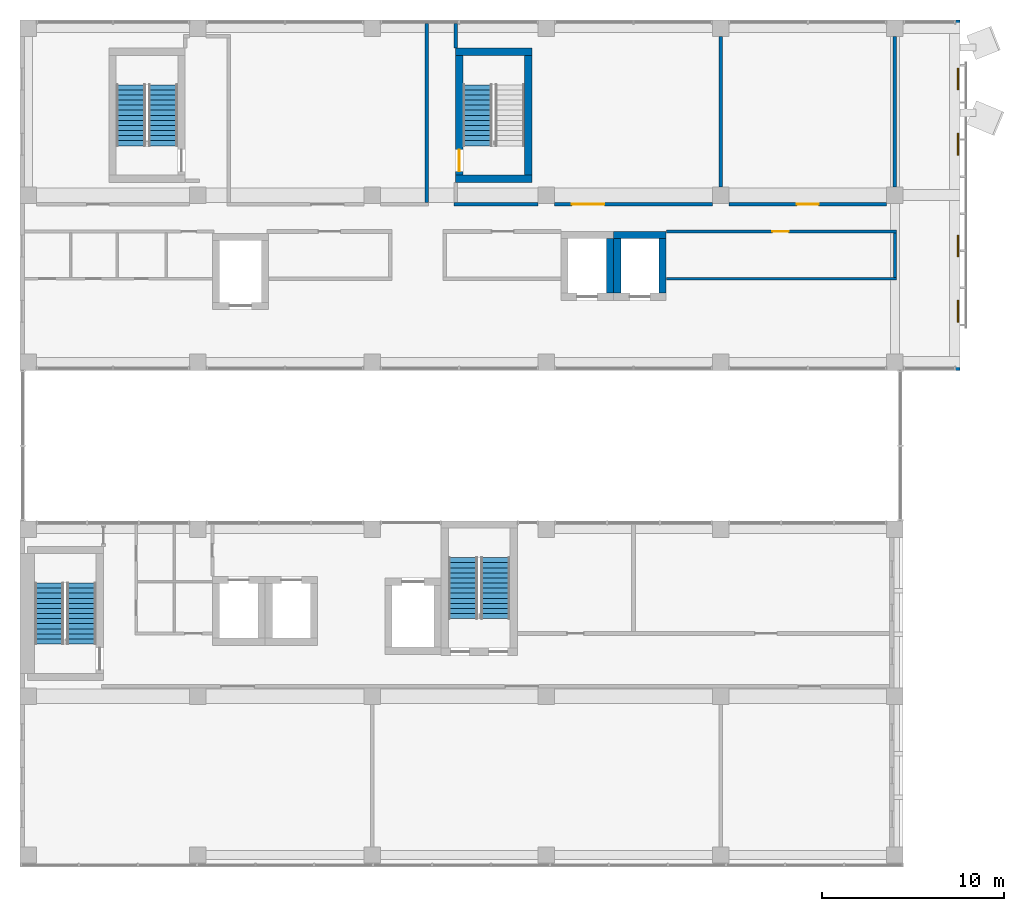
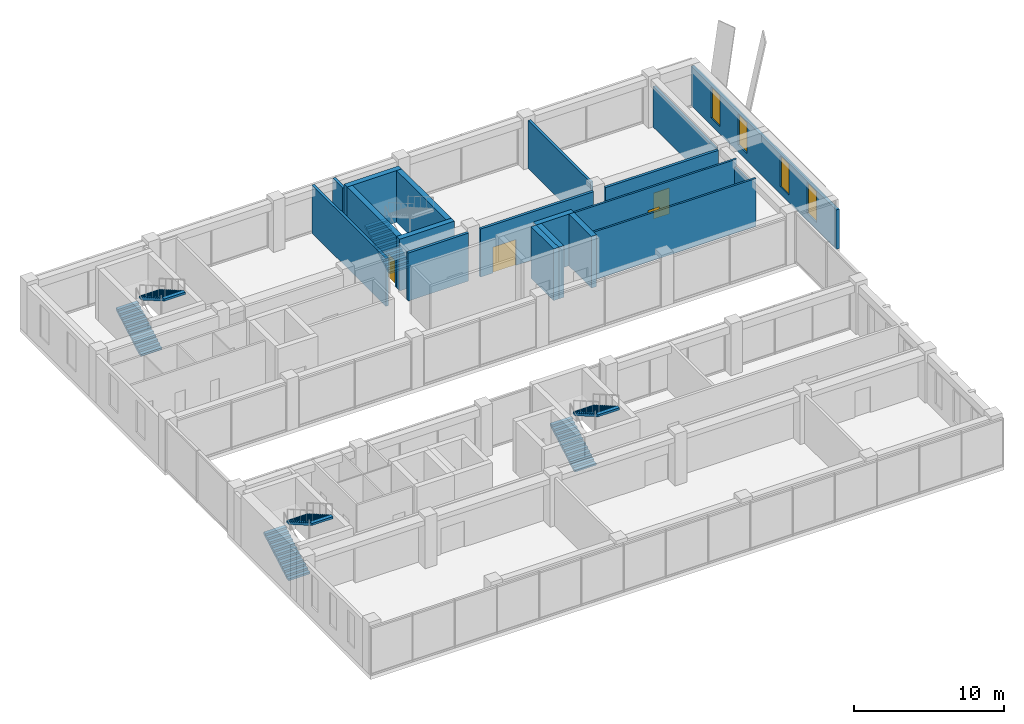
# One storey, part 30 of 37: 19 walls, 7 stair flights, 4 doors, 4 windows, 8 openings, 4 elements without a shape of their own.
"""IFC4 building model written with IfcOpenShell, lengths in metres."""

from ifc_helpers import new_model, si_unit, direction, frame, frame_2d, origin, place, context, subcontext, project, spatial, polyline, rectangle, outline, extrude, material, layer, layer_set, layer_usage, type_object, element, fill, aggregate, save


model = new_model("IFC4")

# Units and contexts
model_context = context("Model", 3, precision=1e-05, world=origin(), true_north=direction((0.0, 1.0)))
body_context = subcontext(model_context, "Body", "Model", "MODEL_VIEW")
ifc_project = project(units=[si_unit("LENGTHUNIT", "METRE"), si_unit("AREAUNIT", "SQUARE_METRE"), si_unit("VOLUMEUNIT", "CUBIC_METRE"), si_unit("PLANEANGLEUNIT", "RADIAN"), si_unit("MASSUNIT", "GRAM", prefix="KILO")], contexts=[model_context])

# Site, building, storey
site_placement = place(None, origin())
site = spatial("IfcSite", under=ifc_project, at=site_placement, CompositionType="ELEMENT")
building_placement = place(site_placement, origin())
building = spatial("IfcBuilding", under=site, at=building_placement, Name="Nzadi Deep Aquarium and Research Tower", CompositionType="ELEMENT")
storey_placement = place(building_placement, frame((0.0, 0.0, 57.10009765625)))
storey = spatial("IfcBuildingStorey", under=building, at=storey_placement, Name="L11", CompositionType="ELEMENT", Elevation=57.10009765625)

# Wall, openings, windows
ifc_material_1 = material(Name="Graphite aluminium shingle", Category="aluminium")
ifc_layer_1 = layer(ifc_material_1, 0.050048828125, Category="cladding")
ifc_material_2 = material(Name="Concrete C35/45", Category="concrete")
ifc_layer_2 = layer(ifc_material_2, 0.10009765625, Category="cladding")
ifc_material_3 = material(Name="Mineral wool insulation")
ifc_layer_3 = layer(ifc_material_3, 0.070068359375, Category="insulation")
ifc_material_4 = material(Name="Gypsum board lining")
ifc_layer_4 = layer(ifc_material_4, 0.030029296875, Category="lining")
ifc_layer_set_1 = layer_set([ifc_layer_1, ifc_layer_2, ifc_layer_3, ifc_layer_4], Name="Graphite aluminium shingle, Concrete C35/45, Mineral wool insulation, Gypsum board lining")
ifc_layer_usage = layer_usage(ifc_layer_set_1, "AXIS2", "POSITIVE", -0.125)
wall_type_1 = type_object("IfcWallType", Name="End wall shingle over board-formed concrete 250, 3.20 m high", PredefinedType="ELEMENTEDWALL", material=ifc_layer_set_1)
wall_1_placement = place(storey_placement, frame((51.47509765625, 27.14990234375, 0.0), z_axis=(0.0, 0.0, 1.0), x_axis=(0.0, 1.0, 0.0)))
wall_1 = element("IfcWall", 1, at=wall_1_placement, inside=storey, type_object=wall_type_1, material=ifc_layer_usage, Name="End wall blade B east L11", PredefinedType="ELEMENTEDWALL", context=body_context, shape_type="SweptSolid", body=[
    extrude(rectangle(XDim=19.300048828125, YDim=0.25, at=frame_2d((9.64990234375, 0.0))), origin(), (0.0, 0.0, 1.0), 3.199951171875),
])
opening_1_placement = place(wall_1_placement, frame((2.64990234375, 0.0, 0.60009765625)))
opening_1 = element("IfcOpeningElement", 2, at=opening_1_placement, cuts=wall_1, Name="Opening WN08", PredefinedType="OPENING", context=body_context, shape_type="SweptSolid", body=[
    extrude(rectangle(XDim=1.199951171875, YDim=2.5, at=frame_2d((0.60009765625, 1.25))), frame((0.0, 0.135009765625, 0.0), z_axis=(0.0, -1.0, 0.0), x_axis=(1.0, 0.0, 0.0)), (0.0, 0.0, 1.0), 0.27001953125),
])
opening_2_placement = place(wall_1_placement, frame((6.25, 0.0, 0.60009765625)))
opening_2 = element("IfcOpeningElement", 3, at=opening_2_placement, cuts=wall_1, Name="Opening WN08", PredefinedType="OPENING", context=body_context, shape_type="SweptSolid", body=[
    extrude(rectangle(XDim=1.199951171875, YDim=2.5, at=frame_2d((0.60009765625, 1.25))), frame((0.0, 0.135009765625, 0.0), z_axis=(0.0, -1.0, 0.0), x_axis=(1.0, 0.0, 0.0)), (0.0, 0.0, 1.0), 0.27001953125),
])
opening_3_placement = place(wall_1_placement, frame((11.85009765625, 0.0, 0.60009765625)))
opening_3 = element("IfcOpeningElement", 4, at=opening_3_placement, cuts=wall_1, Name="Opening WN08", PredefinedType="OPENING", context=body_context, shape_type="SweptSolid", body=[
    extrude(rectangle(XDim=1.199951171875, YDim=2.5, at=frame_2d((0.60009765625, 1.25))), frame((0.0, 0.135009765625, 0.0), z_axis=(0.0, -1.0, 0.0), x_axis=(1.0, 0.0, 0.0)), (0.0, 0.0, 1.0), 0.27001953125),
])
opening_4_placement = place(wall_1_placement, frame((15.449951171875, 0.0, 0.60009765625)))
opening_4 = element("IfcOpeningElement", 5, at=opening_4_placement, cuts=wall_1, Name="Opening WN08", PredefinedType="OPENING", context=body_context, shape_type="SweptSolid", body=[
    extrude(rectangle(XDim=1.199951171875, YDim=2.5, at=frame_2d((0.60009765625, 1.25))), frame((0.0, 0.135009765625, 0.0), z_axis=(0.0, -1.0, 0.0), x_axis=(1.0, 0.0, 0.0)), (0.0, 0.0, 1.0), 0.27001953125),
])
ifc_material_5 = material(Name="Aluminium window, sage tint glazing", Category="aluminium")
window_type = type_object("IfcWindowType", Name="Slot window 1200x2500 sill 600", PartitioningType="SINGLE_PANEL", PredefinedType="WINDOW", material=ifc_material_5)
window_1_placement = place(opening_1_placement, origin())
window_1 = element("IfcWindow", 6, at=window_1_placement, inside=storey, type_object=window_type, Name="Slot window L11 BE", OverallHeight=2.5, OverallWidth=1.199951171875, PartitioningType="SINGLE_PANEL", PredefinedType="WINDOW", context=body_context, shape_type="SweptSolid", body=[
    extrude(rectangle(XDim=1.199951171875, YDim=2.5, at=frame_2d((0.60009765625, 1.25))), frame((0.0, 0.030029296875, 0.0), z_axis=(0.0, -1.0, 0.0), x_axis=(1.0, 0.0, 0.0)), (0.0, 0.0, 1.0), 0.06005859375),
])
fill(opening_1, window_1)
window_2_placement = place(opening_2_placement, origin())
window_2 = element("IfcWindow", 7, at=window_2_placement, inside=storey, type_object=window_type, Name="Slot window L11 BE", OverallHeight=2.5, OverallWidth=1.199951171875, PartitioningType="SINGLE_PANEL", PredefinedType="WINDOW", context=body_context, shape_type="SweptSolid", body=[
    extrude(rectangle(XDim=1.199951171875, YDim=2.5, at=frame_2d((0.60009765625, 1.25))), frame((0.0, 0.030029296875, 0.0), z_axis=(0.0, -1.0, 0.0), x_axis=(1.0, 0.0, 0.0)), (0.0, 0.0, 1.0), 0.06005859375),
])
fill(opening_2, window_2)
window_3_placement = place(opening_3_placement, origin())
window_3 = element("IfcWindow", 8, at=window_3_placement, inside=storey, type_object=window_type, Name="Slot window L11 BE", OverallHeight=2.5, OverallWidth=1.199951171875, PartitioningType="SINGLE_PANEL", PredefinedType="WINDOW", context=body_context, shape_type="SweptSolid", body=[
    extrude(rectangle(XDim=1.199951171875, YDim=2.5, at=frame_2d((0.60009765625, 1.25))), frame((0.0, 0.030029296875, 0.0), z_axis=(0.0, -1.0, 0.0), x_axis=(1.0, 0.0, 0.0)), (0.0, 0.0, 1.0), 0.06005859375),
])
fill(opening_3, window_3)
window_4_placement = place(opening_4_placement, origin())
window_4 = element("IfcWindow", 9, at=window_4_placement, inside=storey, type_object=window_type, Name="Slot window L11 BE", OverallHeight=2.5, OverallWidth=1.199951171875, PartitioningType="SINGLE_PANEL", PredefinedType="WINDOW", context=body_context, shape_type="SweptSolid", body=[
    extrude(rectangle(XDim=1.199951171875, YDim=2.5, at=frame_2d((0.60009765625, 1.25))), frame((0.0, 0.030029296875, 0.0), z_axis=(0.0, -1.0, 0.0), x_axis=(1.0, 0.0, 0.0)), (0.0, 0.0, 1.0), 0.06005859375),
])
fill(opening_4, window_4)

# Wall
ifc_material_6 = material(Name="Blockwork masonry", Category="masonry")
ifc_layer_5 = layer(ifc_material_6, 0.14990234375)
ifc_layer_set_2 = layer_set([ifc_layer_5], Name="Blockwork masonry")
wall_type_2 = type_object("IfcWallType", Name="Partition 150 EI 60", PredefinedType="PARTITIONING", material=ifc_layer_set_2)
wall_2_placement = place(storey_placement, frame((35.406005859375, 32.199951171875, 0.0), z_axis=(0.0, 0.0, 1.0), x_axis=(1.0, 0.0, 0.0)))
element("IfcWall", 10, at=wall_2_placement, inside=storey, type_object=wall_type_2, Name="W-Z1-L11-P036", PredefinedType="PARTITIONING", context=body_context, shape_type="SweptSolid", body=[
    extrude(rectangle(XDim=12.6689453125, YDim=0.14990234375, at=frame_2d((6.33447265625, 0.0))), origin(), (0.0, 0.0, 1.0), 3.89990234375),
])

# Wall, opening, door
wall_3_placement = place(storey_placement, frame((35.406005859375, 34.800048828125, 0.0), z_axis=(0.0, 0.0, 1.0), x_axis=(1.0, 0.0, 0.0)))
wall_3 = element("IfcWall", 11, at=wall_3_placement, inside=storey, type_object=wall_type_2, Name="W-Z1-L11-P037", PredefinedType="PARTITIONING", context=body_context, shape_type="SweptSolid", body=[
    extrude(rectangle(XDim=12.6689453125, YDim=0.14990234375, at=frame_2d((6.33447265625, 0.0))), origin(), (0.0, 0.0, 1.0), 3.89990234375),
])
opening_5_placement = place(wall_3_placement, frame((5.843994140625, 0.0, 0.0)))
opening_5 = element("IfcOpeningElement", 12, at=opening_5_placement, cuts=wall_3, Name="Opening D121017", PredefinedType="OPENING", context=body_context, shape_type="SweptSolid", body=[
    extrude(rectangle(XDim=0.89990234375, YDim=2.10009765625, at=frame_2d((0.449951171875, 1.050048828125))), frame((0.0, 0.0849609375, 0.0), z_axis=(0.0, -1.0, 0.0), x_axis=(1.0, 0.0, 0.0)), (0.0, 0.0, 1.0), 0.169921875),
])
ifc_material_7 = material(Name="Fire-rated steel door", Category="steel")
ifc_layer_6 = layer(ifc_material_7, 0.050048828125)
ifc_layer_set_3 = layer_set([ifc_layer_6], Name="Fire-rated steel door")
door_type_1 = type_object("IfcDoorType", Name="Door 900x2100 EI 60 single", OperationType="SINGLE_SWING_LEFT", PredefinedType="DOOR", material=ifc_layer_set_3)
door_1_placement = place(opening_5_placement, origin())
door_1 = element("IfcDoor", 13, at=door_1_placement, inside=storey, type_object=door_type_1, Name="D121017", OperationType="SINGLE_SWING_RIGHT", OverallHeight=2.10009765625, OverallWidth=0.89990234375, PredefinedType="DOOR", context=body_context, shape_type="SweptSolid", body=[
    extrude(rectangle(XDim=0.89990234375, YDim=2.10009765625, at=frame_2d((0.449951171875, 1.050048828125))), frame((0.0, 0.02490234375, 0.0), z_axis=(0.0, -1.0, 0.0), x_axis=(1.0, 0.0, 0.0)), (0.0, 0.0, 1.0), 0.050048828125),
])
fill(opening_5, door_1)

# Walls
ifc_material_8 = material(Name="Blockwork masonry", Category="masonry")
ifc_layer_7 = layer(ifc_material_8, 0.14990234375)
ifc_layer_set_4 = layer_set([ifc_layer_7], Name="Blockwork masonry")
wall_type_3 = type_object("IfcWallType", Name="Partition 150 EI 60, 3.30 m high", PredefinedType="PARTITIONING", material=ifc_layer_set_4)
wall_4_placement = place(storey_placement, frame((48.0, 32.27490234375, 0.0), z_axis=(0.0, 0.0, 1.0), x_axis=(0.0, 1.0, 0.0)))
element("IfcWall", 14, at=wall_4_placement, inside=storey, type_object=wall_type_3, Name="W-Z1-L11-P042", PredefinedType="PARTITIONING", context=body_context, shape_type="SweptSolid", body=[
    extrude(rectangle(XDim=2.4501953125, YDim=0.14990234375, at=frame_2d((1.22509765625, 0.0))), origin(), (0.0, 0.0, 1.0), 3.2998046875),
])
ifc_material_9 = material(Name="Blockwork masonry", Category="masonry")
ifc_layer_8 = layer(ifc_material_9, 0.199951171875)
ifc_layer_set_5 = layer_set([ifc_layer_8], Name="Blockwork masonry")
wall_type_4 = type_object("IfcWallType", Name="Partition 200 EI 120", PredefinedType="PARTITIONING", material=ifc_layer_set_5)
wall_5_placement = place(storey_placement, frame((22.199951171875, 36.39990234375, 0.0), z_axis=(0.0, 0.0, 1.0), x_axis=(0.0, 1.0, 0.0)))
element("IfcWall", 15, at=wall_5_placement, inside=storey, type_object=wall_type_4, Name="W-Z1-L11-P026", PredefinedType="PARTITIONING", context=body_context, shape_type="SweptSolid", body=[
    extrude(rectangle(XDim=9.843994140625, YDim=0.199951171875, at=frame_2d((4.921875, 0.0))), origin(), (0.0, 0.0, 1.0), 3.89990234375),
])
wall_6_placement = place(storey_placement, frame((23.699951171875, 36.300048828125, 0.0), z_axis=(0.0, 0.0, 1.0), x_axis=(1.0, 0.0, 0.0)))
element("IfcWall", 16, at=wall_6_placement, inside=storey, type_object=wall_type_4, Name="W-Z1-L11-P030", PredefinedType="PARTITIONING", context=body_context, shape_type="SweptSolid", body=[
    extrude(rectangle(XDim=4.650146484375, YDim=0.199951171875, at=frame_2d((2.3251953125, 0.0))), origin(), (0.0, 0.0, 1.0), 3.89990234375),
])
wall_7_placement = place(storey_placement, frame((23.800048828125, 44.906005859375, 0.0), z_axis=(0.0, 0.0, 1.0), x_axis=(0.0, 1.0, 0.0)))
element("IfcWall", 17, at=wall_7_placement, inside=storey, type_object=wall_type_4, Name="W-Z1-L11-P032", PredefinedType="PARTITIONING", context=body_context, shape_type="SweptSolid", body=[
    extrude(rectangle(XDim=1.337890625, YDim=0.199951171875, at=frame_2d((0.6689453125, 0.0))), origin(), (0.0, 0.0, 1.0), 3.89990234375),
])

# Wall, opening, door
wall_8_placement = place(storey_placement, frame((29.25, 36.300048828125, 0.0), z_axis=(0.0, 0.0, 1.0), x_axis=(1.0, 0.0, 0.0)))
wall_8 = element("IfcWall", 18, at=wall_8_placement, inside=storey, type_object=wall_type_4, Name="W-Z1-L11-P034", PredefinedType="PARTITIONING", context=body_context, shape_type="SweptSolid", body=[
    extrude(rectangle(XDim=8.699951171875, YDim=0.199951171875, at=frame_2d((4.35009765625, 0.0))), origin(), (0.0, 0.0, 1.0), 3.89990234375),
])
opening_6_placement = place(wall_8_placement, frame((0.949951171875, 0.0, 0.0)))
opening_6 = element("IfcOpeningElement", 19, at=opening_6_placement, cuts=wall_8, Name="Opening D121020", PredefinedType="OPENING", context=body_context, shape_type="SweptSolid", body=[
    extrude(rectangle(XDim=1.800048828125, YDim=2.10009765625, at=frame_2d((0.89990234375, 1.050048828125))), frame((0.0, 0.110107421875, 0.0), z_axis=(0.0, -1.0, 0.0), x_axis=(1.0, 0.0, 0.0)), (0.0, 0.0, 1.0), 0.22021484375),
])
ifc_material_10 = material(Name="Fire-rated steel door", Category="steel")
ifc_layer_9 = layer(ifc_material_10, 0.050048828125)
ifc_layer_set_6 = layer_set([ifc_layer_9], Name="Fire-rated steel door")
door_type_2 = type_object("IfcDoorType", Name="Door 1800x2100 EI 120 double", OperationType="DOUBLE_DOOR_SINGLE_SWING", PredefinedType="DOOR", material=ifc_layer_set_6)
door_2_placement = place(opening_6_placement, origin())
door_2 = element("IfcDoor", 20, at=door_2_placement, inside=storey, type_object=door_type_2, Name="D121020", OperationType="DOUBLE_DOOR_SINGLE_SWING", OverallHeight=2.10009765625, OverallWidth=1.800048828125, PredefinedType="DOOR", context=body_context, shape_type="SweptSolid", body=[
    extrude(rectangle(XDim=1.800048828125, YDim=2.10009765625, at=frame_2d((0.89990234375, 1.050048828125))), frame((0.0, 0.02490234375, 0.0), z_axis=(0.0, -1.0, 0.0), x_axis=(1.0, 0.0, 0.0)), (0.0, 0.0, 1.0), 0.050048828125),
])
fill(opening_6, door_2)

# Wall
wall_9_placement = place(storey_placement, frame((38.39990234375, 37.25, 0.0), z_axis=(0.0, 0.0, 1.0), x_axis=(0.0, 1.0, 0.0)))
element("IfcWall", 21, at=wall_9_placement, inside=storey, type_object=wall_type_4, Name="W-Z1-L11-P039", PredefinedType="PARTITIONING", context=body_context, shape_type="SweptSolid", body=[
    extrude(rectangle(XDim=8.300048828125, YDim=0.199951171875, at=frame_2d((4.14990234375, 0.0))), origin(), (0.0, 0.0, 1.0), 3.89990234375),
])

# Wall, opening, door
wall_10_placement = place(storey_placement, frame((38.85009765625, 36.300048828125, 0.0), z_axis=(0.0, 0.0, 1.0), x_axis=(1.0, 0.0, 0.0)))
wall_10 = element("IfcWall", 22, at=wall_10_placement, inside=storey, type_object=wall_type_4, Name="W-Z1-L11-P040", PredefinedType="PARTITIONING", context=body_context, shape_type="SweptSolid", body=[
    extrude(rectangle(XDim=8.699951171875, YDim=0.199951171875, at=frame_2d((4.35009765625, 0.0))), origin(), (0.0, 0.0, 1.0), 3.89990234375),
])
opening_7_placement = place(wall_10_placement, frame((3.75, 0.0, 0.0)))
opening_7 = element("IfcOpeningElement", 23, at=opening_7_placement, cuts=wall_10, Name="Opening D121021", PredefinedType="OPENING", context=body_context, shape_type="SweptSolid", body=[
    extrude(rectangle(XDim=1.199951171875, YDim=2.10009765625, at=frame_2d((0.60009765625, 1.050048828125))), frame((0.0, 0.110107421875, 0.0), z_axis=(0.0, -1.0, 0.0), x_axis=(1.0, 0.0, 0.0)), (0.0, 0.0, 1.0), 0.22021484375),
])
ifc_material_11 = material(Name="Fire-rated steel door", Category="steel")
ifc_layer_10 = layer(ifc_material_11, 0.050048828125)
ifc_layer_set_7 = layer_set([ifc_layer_10], Name="Fire-rated steel door")
door_type_3 = type_object("IfcDoorType", Name="Door 1200x2100 EI 120 single", OperationType="SINGLE_SWING_LEFT", PredefinedType="DOOR", material=ifc_layer_set_7)
door_3_placement = place(opening_7_placement, origin())
door_3 = element("IfcDoor", 24, at=door_3_placement, inside=storey, type_object=door_type_3, Name="D121021", OperationType="SINGLE_SWING_LEFT", OverallHeight=2.10009765625, OverallWidth=1.199951171875, PredefinedType="DOOR", context=body_context, shape_type="SweptSolid", body=[
    extrude(rectangle(XDim=1.199951171875, YDim=2.10009765625, at=frame_2d((0.60009765625, 1.050048828125))), frame((0.0, 0.02490234375, 0.0), z_axis=(0.0, -1.0, 0.0), x_axis=(1.0, 0.0, 0.0)), (0.0, 0.0, 1.0), 0.050048828125),
])
fill(opening_7, door_3)

# Walls
ifc_material_12 = material(Name="Blockwork masonry", Category="masonry")
ifc_layer_11 = layer(ifc_material_12, 0.199951171875)
ifc_layer_set_8 = layer_set([ifc_layer_11], Name="Blockwork masonry")
wall_type_5 = type_object("IfcWallType", Name="Partition 200 EI 120, 3.30 m high", PredefinedType="PARTITIONING", material=ifc_layer_set_8)
wall_11_placement = place(storey_placement, frame((48.0, 37.25, 0.0), z_axis=(0.0, 0.0, 1.0), x_axis=(0.0, 1.0, 0.0)))
element("IfcWall", 25, at=wall_11_placement, inside=storey, type_object=wall_type_5, Name="W-Z1-L11-P041", PredefinedType="PARTITIONING", context=body_context, shape_type="SweptSolid", body=[
    extrude(rectangle(XDim=8.300048828125, YDim=0.199951171875, at=frame_2d((4.14990234375, 0.0))), origin(), (0.0, 0.0, 1.0), 3.2998046875),
])
ifc_material_13 = material(Name="Concrete C35/45", Category="concrete")
ifc_layer_12 = layer(ifc_material_13, 0.39990234375)
ifc_layer_set_9 = layer_set([ifc_layer_12], Name="Concrete C35/45")
wall_type_6 = type_object("IfcWallType", Name="RC core wall 400", PredefinedType="SHEAR", material=ifc_layer_set_9)
for number, where, z_axis, x_axis, name in (
    (26, (23.800048828125, 37.699951171875, 0.0), (0.0, 0.0, 1.0), (1.0, 0.0, 0.0), "W-CORE-ST-Z1-NE-L11-S"),
    (27, (23.800048828125, 44.699951171875, 0.0), (0.0, 0.0, 1.0), (1.0, 0.0, 0.0), "W-CORE-ST-Z1-NE-L11-N"),
):
    element("IfcWall", number, at=place(storey_placement, frame(where, z_axis=z_axis, x_axis=x_axis)), inside=storey, type_object=wall_type_6, Name=name, PredefinedType="SHEAR", context=body_context, shape_type="SweptSolid", body=[
        extrude(rectangle(XDim=4.199951171875, YDim=0.39990234375, at=frame_2d((2.10009765625, 0.0))), origin(), (0.0, 0.0, 1.0), 4.199951171875),
    ])

# Wall, opening, door
wall_12_placement = place(storey_placement, frame((24.0, 37.89990234375, 0.0), z_axis=(0.0, 0.0, 1.0), x_axis=(0.0, 1.0, 0.0)))
wall_12 = element("IfcWall", 28, at=wall_12_placement, inside=storey, type_object=wall_type_6, Name="W-CORE-ST-Z1-NE-L11-W", PredefinedType="SHEAR", context=body_context, shape_type="SweptSolid", body=[
    extrude(rectangle(XDim=6.60009765625, YDim=0.39990234375, at=frame_2d((3.300048828125, 0.0))), origin(), (0.0, 0.0, 1.0), 4.199951171875),
])
opening_8_placement = place(wall_12_placement, frame((0.2099609375, 0.0, 0.0)))
opening_8 = element("IfcOpeningElement", 29, at=opening_8_placement, cuts=wall_12, Name="Opening DS-Z1-NE-L11", PredefinedType="OPENING", context=body_context, shape_type="SweptSolid", body=[
    extrude(rectangle(XDim=1.199951171875, YDim=2.10009765625, at=frame_2d((0.60009765625, 1.050048828125))), frame((0.0, 0.2099609375, 0.0), z_axis=(0.0, -1.0, 0.0), x_axis=(1.0, 0.0, 0.0)), (0.0, 0.0, 1.0), 0.419921875),
])
ifc_material_14 = material(Name="Steel, powder coated", Category="steel")
door_type_4 = type_object("IfcDoorType", Name="STAIR DOOR 1200x2100 EI 60", OperationType="SINGLE_SWING_LEFT", PredefinedType="DOOR", material=ifc_material_14)
door_4_placement = place(opening_8_placement, origin())
door_4 = element("IfcDoor", 30, at=door_4_placement, inside=storey, type_object=door_type_4, Name="Stair door ST-Z1-NE L11", OperationType="SINGLE_SWING_LEFT", OverallHeight=2.10009765625, OverallWidth=1.199951171875, PredefinedType="DOOR", context=body_context, shape_type="SweptSolid", body=[
    extrude(rectangle(XDim=1.199951171875, YDim=2.10009765625, at=frame_2d((0.60009765625, 1.050048828125))), frame((0.0, 0.02490234375, 0.0), z_axis=(0.0, -1.0, 0.0), x_axis=(1.0, 0.0, 0.0)), (0.0, 0.0, 1.0), 0.050048828125),
])
fill(opening_8, door_4)

# Walls
wall_13_placement = place(storey_placement, frame((27.800048828125, 37.89990234375, 0.0), z_axis=(0.0, 0.0, 1.0), x_axis=(0.0, 1.0, 0.0)))
element("IfcWall", 31, at=wall_13_placement, inside=storey, type_object=wall_type_6, Name="W-CORE-ST-Z1-NE-L11-E", PredefinedType="SHEAR", context=body_context, shape_type="SweptSolid", body=[
    extrude(rectangle(XDim=6.60009765625, YDim=0.39990234375, at=frame_2d((3.300048828125, 0.0))), origin(), (0.0, 0.0, 1.0), 4.199951171875),
])
wall_14_placement = place(storey_placement, frame((32.300048828125, 31.39990234375, 0.0), z_axis=(0.0, 0.0, 1.0), x_axis=(0.0, 1.0, 0.0)))
element("IfcWall", 32, at=wall_14_placement, inside=storey, type_object=wall_type_6, Name="W-CORE-TL3-L11-E", PredefinedType="SHEAR", context=body_context, shape_type="SweptSolid", body=[
    extrude(rectangle(XDim=3.0, YDim=0.39990234375, at=frame_2d((1.5, 0.0))), origin(), (0.0, 0.0, 1.0), 4.199951171875),
])
wall_15_placement = place(storey_placement, frame((32.5, 34.60009765625, 0.0), z_axis=(0.0, 0.0, 1.0), x_axis=(1.0, 0.0, 0.0)))
element("IfcWall", 33, at=wall_15_placement, inside=storey, type_object=wall_type_6, Name="W-CORE-TL4-L11-N", PredefinedType="SHEAR", context=body_context, shape_type="SweptSolid", body=[
    extrude(rectangle(XDim=2.89990234375, YDim=0.39990234375, at=frame_2d((1.449951171875, 0.0))), origin(), (0.0, 0.0, 1.0), 4.199951171875),
])
for number, where, z_axis, x_axis, name in (
    (34, (32.699951171875, 31.39990234375, 0.0), (0.0, 0.0, 1.0), (0.0, 1.0, 0.0), "W-CORE-TL4-L11-W"),
    (35, (35.199951171875, 31.39990234375, 0.0), (0.0, 0.0, 1.0), (0.0, 1.0, 0.0), "W-CORE-TL4-L11-E"),
):
    element("IfcWall", number, at=place(storey_placement, frame(where, z_axis=z_axis, x_axis=x_axis)), inside=storey, type_object=wall_type_6, Name=name, PredefinedType="SHEAR", context=body_context, shape_type="SweptSolid", body=[
        extrude(rectangle(XDim=3.0, YDim=0.39990234375, at=frame_2d((1.5, 0.0))), origin(), (0.0, 0.0, 1.0), 4.199951171875),
    ])

# Stair, stair flights
ifc_material_15 = material(Name="Concrete C35/45", Category="concrete")
stair_type = type_object("IfcStairType", Name="STAIR RETURN 3000", PredefinedType="NOTDEFINED", material=ifc_material_15)
stair_1_placement = place(storey_placement, origin())
stair_1 = element("IfcStair", 36, at=stair_1_placement, inside=storey, type_object=stair_type, Name="Stair ST-Z1-SW L11", PredefinedType="HALF_TURN_STAIR")
ifc_material_16 = material(Name="Concrete C35/45", Category="concrete")
stair_flight_type = type_object("IfcStairFlightType", Name="FLIGHT 1625 13 RISERS 161.5 GOING 280", PredefinedType="STRAIGHT", material=ifc_material_16)
stair_flight_1_placement = place(storey_placement, frame((1.41259765625, 12.070068359375, 0.0), z_axis=(0.0, 0.0, 1.0), x_axis=(0.0, 1.0, 0.0)))
stair_flight_1 = element("IfcStairFlight", 37, at=stair_flight_1_placement, type_object=stair_flight_type, Name="ST-Z1-SW flight 1", NumberOfRisers=13, NumberOfTreads=12, PredefinedType="STRAIGHT", RiserHeight=0.161538462, TreadLength=0.28, context=body_context, shape_type="SweptSolid", body=[
    extrude(outline(polyline([(0.0, 0.0), (0.0, 0.16162109375), (0.280029296875, 0.16162109375), (0.280029296875, 0.322998046875), (0.56005859375, 0.322998046875), (0.56005859375, 0.484619140625), (0.840087890625, 0.484619140625), (0.840087890625, 0.646240234375), (1.1201171875, 0.646240234375), (1.1201171875, 0.8076171875), (1.39990234375, 0.8076171875), (1.39990234375, 0.96923828125), (1.679931640625, 0.96923828125), (1.679931640625, 1.130859375), (1.9599609375, 1.130859375), (1.9599609375, 1.292236328125), (2.239990234375, 1.292236328125), (2.239990234375, 1.453857421875), (2.52001953125, 1.453857421875), (2.52001953125, 1.615478515625), (2.800048828125, 1.615478515625), (2.800048828125, 1.77685546875), (3.080078125, 1.77685546875), (3.080078125, 1.9384765625), (3.360107421875, 1.9384765625), (3.360107421875, 2.10009765625), (3.360107421875, 1.765380859375), (0.300048828125, 0.0), (0.0, 0.0)])), frame((0.0, 0.8125, 0.0), z_axis=(0.0, -1.0, 0.0), x_axis=(1.0, 0.0, 0.0)), (0.0, 0.0, 1.0), 1.625),
])
stair_flight_2_placement = place(storey_placement, frame((3.1875, 15.429931640625, 2.099853515625), z_axis=(0.0, 0.0, 1.0), x_axis=(0.0, -1.0, 0.0)))
stair_flight_2 = element("IfcStairFlight", 38, at=stair_flight_2_placement, type_object=stair_flight_type, Name="ST-Z1-SW flight 2", NumberOfRisers=13, NumberOfTreads=12, PredefinedType="STRAIGHT", RiserHeight=0.161538462, TreadLength=0.28, context=body_context, shape_type="SweptSolid", body=[
    extrude(outline(polyline([(0.0, 0.0), (0.0, 0.16162109375), (0.280029296875, 0.16162109375), (0.280029296875, 0.322998046875), (0.56005859375, 0.322998046875), (0.56005859375, 0.484619140625), (0.840087890625, 0.484619140625), (0.840087890625, 0.646240234375), (1.1201171875, 0.646240234375), (1.1201171875, 0.8076171875), (1.39990234375, 0.8076171875), (1.39990234375, 0.96923828125), (1.679931640625, 0.96923828125), (1.679931640625, 1.130859375), (1.9599609375, 1.130859375), (1.9599609375, 1.292236328125), (2.239990234375, 1.292236328125), (2.239990234375, 1.453857421875), (2.52001953125, 1.453857421875), (2.52001953125, 1.615478515625), (2.800048828125, 1.615478515625), (2.800048828125, 1.77685546875), (3.080078125, 1.77685546875), (3.080078125, 1.9384765625), (3.360107421875, 1.9384765625), (3.360107421875, 2.10009765625), (3.360107421875, 1.765380859375), (0.300048828125, 0.0), (0.0, 0.0)])), frame((0.0, 0.8125, 0.0), z_axis=(0.0, -1.0, 0.0), x_axis=(1.0, 0.0, 0.0)), (0.0, 0.0, 1.0), 1.625),
])
aggregate(stair_1, [stair_flight_1, stair_flight_2])

stair_2_placement = place(storey_placement, origin())
stair_2 = element("IfcStair", 39, at=stair_2_placement, inside=storey, type_object=stair_type, Name="Stair ST-Z1-SE L11", PredefinedType="HALF_TURN_STAIR")
stair_flight_3_placement = place(storey_placement, frame((24.21240234375, 13.469970703125, 0.0), z_axis=(0.0, 0.0, 1.0), x_axis=(0.0, 1.0, 0.0)))
stair_flight_3 = element("IfcStairFlight", 40, at=stair_flight_3_placement, type_object=stair_flight_type, Name="ST-Z1-SE flight 1", NumberOfRisers=13, NumberOfTreads=12, PredefinedType="STRAIGHT", RiserHeight=0.161538462, TreadLength=0.28, context=body_context, shape_type="SweptSolid", body=[
    extrude(outline(polyline([(0.0, 0.0), (0.0, 0.16162109375), (0.280029296875, 0.16162109375), (0.280029296875, 0.322998046875), (0.56005859375, 0.322998046875), (0.56005859375, 0.484619140625), (0.840087890625, 0.484619140625), (0.840087890625, 0.646240234375), (1.1201171875, 0.646240234375), (1.1201171875, 0.8076171875), (1.39990234375, 0.8076171875), (1.39990234375, 0.96923828125), (1.679931640625, 0.96923828125), (1.679931640625, 1.130859375), (1.9599609375, 1.130859375), (1.9599609375, 1.292236328125), (2.239990234375, 1.292236328125), (2.239990234375, 1.453857421875), (2.52001953125, 1.453857421875), (2.52001953125, 1.615478515625), (2.800048828125, 1.615478515625), (2.800048828125, 1.77685546875), (3.080078125, 1.77685546875), (3.080078125, 1.9384765625), (3.360107421875, 1.9384765625), (3.360107421875, 2.10009765625), (3.360107421875, 1.765380859375), (0.300048828125, 0.0), (0.0, 0.0)])), frame((0.0, 0.8125, 0.0), z_axis=(0.0, -1.0, 0.0), x_axis=(1.0, 0.0, 0.0)), (0.0, 0.0, 1.0), 1.625),
])
stair_flight_4_placement = place(storey_placement, frame((25.987548828125, 16.830078125, 2.099853515625), z_axis=(0.0, 0.0, 1.0), x_axis=(0.0, -1.0, 0.0)))
stair_flight_4 = element("IfcStairFlight", 41, at=stair_flight_4_placement, type_object=stair_flight_type, Name="ST-Z1-SE flight 2", NumberOfRisers=13, NumberOfTreads=12, PredefinedType="STRAIGHT", RiserHeight=0.161538462, TreadLength=0.28, context=body_context, shape_type="SweptSolid", body=[
    extrude(outline(polyline([(0.0, 0.0), (0.0, 0.16162109375), (0.280029296875, 0.16162109375), (0.280029296875, 0.322998046875), (0.56005859375, 0.322998046875), (0.56005859375, 0.484619140625), (0.840087890625, 0.484619140625), (0.840087890625, 0.646240234375), (1.1201171875, 0.646240234375), (1.1201171875, 0.8076171875), (1.39990234375, 0.8076171875), (1.39990234375, 0.96923828125), (1.679931640625, 0.96923828125), (1.679931640625, 1.130859375), (1.9599609375, 1.130859375), (1.9599609375, 1.292236328125), (2.239990234375, 1.292236328125), (2.239990234375, 1.453857421875), (2.52001953125, 1.453857421875), (2.52001953125, 1.615478515625), (2.800048828125, 1.615478515625), (2.800048828125, 1.77685546875), (3.080078125, 1.77685546875), (3.080078125, 1.9384765625), (3.360107421875, 1.9384765625), (3.360107421875, 2.10009765625), (3.360107421875, 1.765380859375), (0.300048828125, 0.0), (0.0, 0.0)])), frame((0.0, 0.8125, 0.0), z_axis=(0.0, -1.0, 0.0), x_axis=(1.0, 0.0, 0.0)), (0.0, 0.0, 1.0), 1.625),
])
aggregate(stair_2, [stair_flight_3, stair_flight_4])

stair_3_placement = place(storey_placement, origin())
stair_3 = element("IfcStair", 42, at=stair_3_placement, inside=storey, type_object=stair_type, Name="Stair ST-Z1-NW L11", PredefinedType="HALF_TURN_STAIR")
stair_flight_5_placement = place(storey_placement, frame((5.91259765625, 39.52001953125, 0.0), z_axis=(0.0, 0.0, 1.0), x_axis=(0.0, 1.0, 0.0)))
stair_flight_5 = element("IfcStairFlight", 43, at=stair_flight_5_placement, type_object=stair_flight_type, Name="ST-Z1-NW flight 1", NumberOfRisers=13, NumberOfTreads=12, PredefinedType="STRAIGHT", RiserHeight=0.161538462, TreadLength=0.28, context=body_context, shape_type="SweptSolid", body=[
    extrude(outline(polyline([(0.0, 0.0), (0.0, 0.16162109375), (0.280029296875, 0.16162109375), (0.280029296875, 0.322998046875), (0.56005859375, 0.322998046875), (0.56005859375, 0.484619140625), (0.840087890625, 0.484619140625), (0.840087890625, 0.646240234375), (1.1201171875, 0.646240234375), (1.1201171875, 0.8076171875), (1.39990234375, 0.8076171875), (1.39990234375, 0.96923828125), (1.679931640625, 0.96923828125), (1.679931640625, 1.130859375), (1.9599609375, 1.130859375), (1.9599609375, 1.292236328125), (2.239990234375, 1.292236328125), (2.239990234375, 1.453857421875), (2.52001953125, 1.453857421875), (2.52001953125, 1.615478515625), (2.800048828125, 1.615478515625), (2.800048828125, 1.77685546875), (3.080078125, 1.77685546875), (3.080078125, 1.9384765625), (3.360107421875, 1.9384765625), (3.360107421875, 2.10009765625), (3.360107421875, 1.765380859375), (0.300048828125, 0.0), (0.0, 0.0)])), frame((0.0, 0.8125, 0.0), z_axis=(0.0, -1.0, 0.0), x_axis=(1.0, 0.0, 0.0)), (0.0, 0.0, 1.0), 1.625),
])
stair_flight_6_placement = place(storey_placement, frame((7.6875, 42.8798828125, 2.099853515625), z_axis=(0.0, 0.0, 1.0), x_axis=(0.0, -1.0, 0.0)))
stair_flight_6 = element("IfcStairFlight", 44, at=stair_flight_6_placement, type_object=stair_flight_type, Name="ST-Z1-NW flight 2", NumberOfRisers=13, NumberOfTreads=12, PredefinedType="STRAIGHT", RiserHeight=0.161538462, TreadLength=0.28, context=body_context, shape_type="SweptSolid", body=[
    extrude(outline(polyline([(0.0, 0.0), (0.0, 0.16162109375), (0.280029296875, 0.16162109375), (0.280029296875, 0.322998046875), (0.56005859375, 0.322998046875), (0.56005859375, 0.484619140625), (0.840087890625, 0.484619140625), (0.840087890625, 0.646240234375), (1.1201171875, 0.646240234375), (1.1201171875, 0.8076171875), (1.39990234375, 0.8076171875), (1.39990234375, 0.96923828125), (1.679931640625, 0.96923828125), (1.679931640625, 1.130859375), (1.9599609375, 1.130859375), (1.9599609375, 1.292236328125), (2.239990234375, 1.292236328125), (2.239990234375, 1.453857421875), (2.52001953125, 1.453857421875), (2.52001953125, 1.615478515625), (2.800048828125, 1.615478515625), (2.800048828125, 1.77685546875), (3.080078125, 1.77685546875), (3.080078125, 1.9384765625), (3.360107421875, 1.9384765625), (3.360107421875, 2.10009765625), (3.360107421875, 1.765380859375), (0.300048828125, 0.0), (0.0, 0.0)])), frame((0.0, 0.8125, 0.0), z_axis=(0.0, -1.0, 0.0), x_axis=(1.0, 0.0, 0.0)), (0.0, 0.0, 1.0), 1.625),
])
aggregate(stair_3, [stair_flight_5, stair_flight_6])

# Stair, stair flight
stair_4_placement = place(storey_placement, origin())
stair_4 = element("IfcStair", 45, at=stair_4_placement, inside=storey, type_object=stair_type, Name="Stair ST-Z1-NE L11", PredefinedType="HALF_TURN_STAIR")
stair_flight_7_placement = place(storey_placement, frame((25.012451171875, 39.52001953125, 0.0), z_axis=(0.0, 0.0, 1.0), x_axis=(0.0, 1.0, 0.0)))
stair_flight_7 = element("IfcStairFlight", 46, at=stair_flight_7_placement, type_object=stair_flight_type, Name="ST-Z1-NE flight 1", NumberOfRisers=13, NumberOfTreads=12, PredefinedType="STRAIGHT", RiserHeight=0.161538462, TreadLength=0.28, context=body_context, shape_type="SweptSolid", body=[
    extrude(outline(polyline([(0.0, 0.0), (0.0, 0.16162109375), (0.280029296875, 0.16162109375), (0.280029296875, 0.322998046875), (0.56005859375, 0.322998046875), (0.56005859375, 0.484619140625), (0.840087890625, 0.484619140625), (0.840087890625, 0.646240234375), (1.1201171875, 0.646240234375), (1.1201171875, 0.8076171875), (1.39990234375, 0.8076171875), (1.39990234375, 0.96923828125), (1.679931640625, 0.96923828125), (1.679931640625, 1.130859375), (1.9599609375, 1.130859375), (1.9599609375, 1.292236328125), (2.239990234375, 1.292236328125), (2.239990234375, 1.453857421875), (2.52001953125, 1.453857421875), (2.52001953125, 1.615478515625), (2.800048828125, 1.615478515625), (2.800048828125, 1.77685546875), (3.080078125, 1.77685546875), (3.080078125, 1.9384765625), (3.360107421875, 1.9384765625), (3.360107421875, 2.10009765625), (3.360107421875, 1.765380859375), (0.300048828125, 0.0), (0.0, 0.0)])), frame((0.0, 0.8125, 0.0), z_axis=(0.0, -1.0, 0.0), x_axis=(1.0, 0.0, 0.0)), (0.0, 0.0, 1.0), 1.625),
])
aggregate(stair_4, [stair_flight_7])

save(model, "model.ifc")
